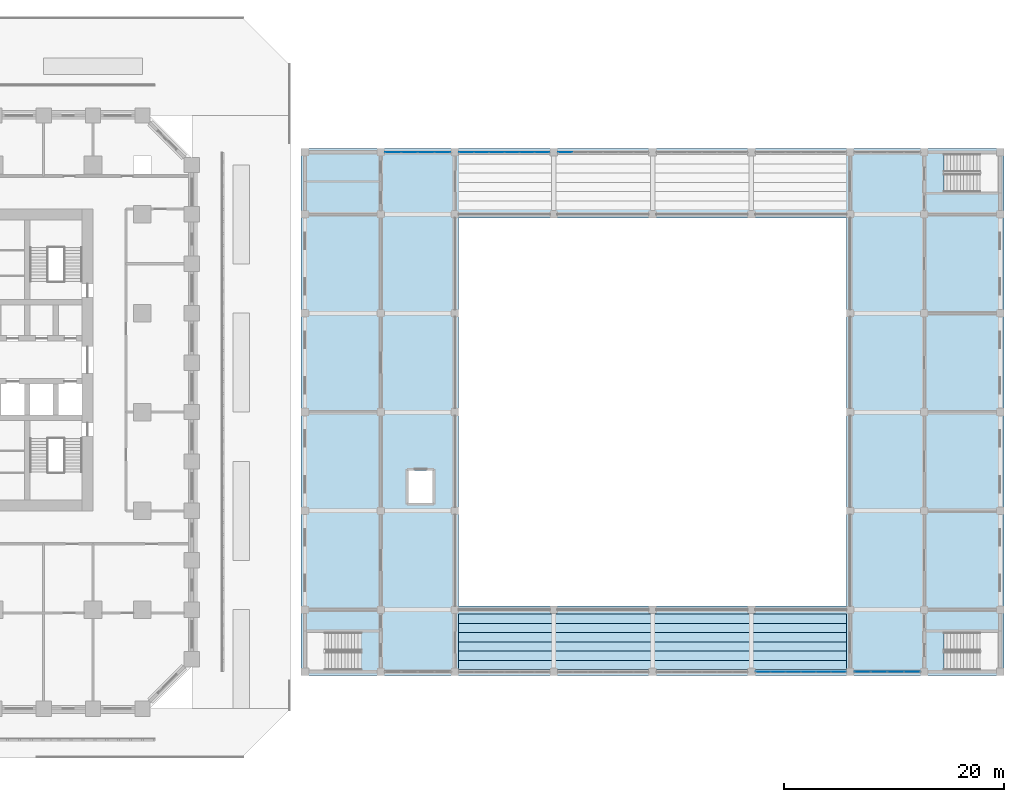
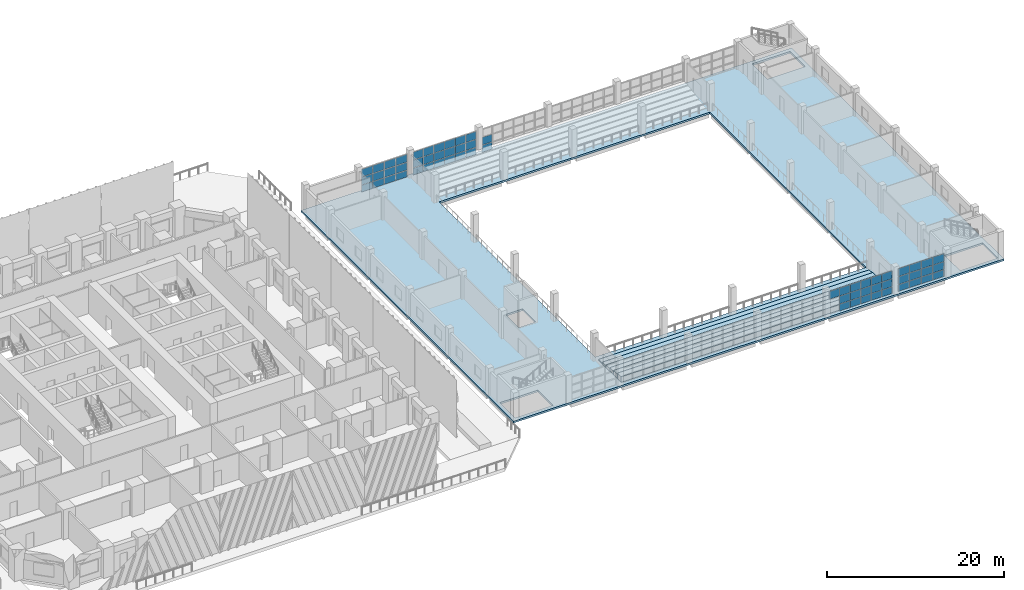
# One storey, part 14 of 36: 60 plates, 7 slabs, 5 elements without a shape of their own.
"""IFC4 building model written with IfcOpenShell, lengths in metres."""

from ifc_helpers import new_model, si_unit, direction, frame, origin, origin_2d, place, context, subcontext, project, spatial, polyline, rectangle, outline, extrude, material, layer, layer_set, type_object, element, aggregate, save


model = new_model("IFC4")

# Units and contexts
model_context = context("Model", 3, precision=1e-05, world=origin(), true_north=direction((0.0, 1.0)))
body_context = subcontext(model_context, "Body", "Model", "MODEL_VIEW")
ifc_project = project(units=[si_unit("LENGTHUNIT", "METRE"), si_unit("AREAUNIT", "SQUARE_METRE"), si_unit("VOLUMEUNIT", "CUBIC_METRE"), si_unit("PLANEANGLEUNIT", "RADIAN"), si_unit("MASSUNIT", "GRAM", prefix="KILO")], contexts=[model_context])

# Site, building, storey
site_placement = place(None, origin())
site = spatial("IfcSite", under=ifc_project, at=site_placement, CompositionType="ELEMENT")
building_placement = place(site_placement, origin())
building = spatial("IfcBuilding", under=site, at=building_placement, Name="Corbel Stack Research Tower", CompositionType="ELEMENT")
storey_placement = place(building_placement, frame((0.0, 0.0, 7.199951171875)))
storey = spatial("IfcBuildingStorey", under=building, at=storey_placement, Name="L01", CompositionType="ELEMENT", Elevation=7.199951171875)

# Curtain wall, plates
ifc_material_1 = material(Name="Aluminium", Category="aluminium")
ifc_layer_1 = layer(ifc_material_1, 0.14990234375)
ifc_layer_set_1 = layer_set([ifc_layer_1], Name="Aluminium")
curtain_wall_type_1 = type_object("IfcCurtainWallType", Name="CW5 main facade curtain wall", PredefinedType="NOTDEFINED", material=ifc_layer_set_1)
curtain_wall_1_placement = place(storey_placement, origin())
curtain_wall_1 = element("IfcCurtainWall", 1, at=curtain_wall_1_placement, inside=storey, type_object=curtain_wall_type_1, Name="Main facade curtain wall L01 2", PredefinedType="NOTDEFINED")
ifc_material_2 = material(Name="Glass", Category="glass")
ifc_layer_2 = layer(ifc_material_2, 0.028076171875)
ifc_layer_set_2 = layer_set([ifc_layer_2], Name="Glass")
plate_type_1 = type_object("IfcPlateType", Name="CW5 glass panel 28", PredefinedType="CURTAIN_PANEL", material=ifc_layer_set_2)
plate_1_placement = place(storey_placement, frame((45.3212890625, 23.64990234375, 0.06005859375), z_axis=(0.0, 0.0, 1.0), x_axis=(1.0, 0.0, 0.0)))
plate_1 = element("IfcPlate", 2, at=plate_1_placement, type_object=plate_type_1, Name="CW5 panel 1.1", PredefinedType="CURTAIN_PANEL", context=body_context, shape_type="SweptSolid", body=[
    extrude(rectangle(XDim=1.422607421875, YDim=0.028076171875, at=origin_2d()), origin(), (0.0, 0.0, 1.0), 0.909912109375),
])
plate_2_placement = place(storey_placement, frame((45.3212890625, 23.64990234375, 1.030029296875), z_axis=(0.0, 0.0, 1.0), x_axis=(1.0, 0.0, 0.0)))
plate_2 = element("IfcPlate", 3, at=plate_2_placement, type_object=plate_type_1, Name="CW5 panel 1.2", PredefinedType="CURTAIN_PANEL", context=body_context, shape_type="SweptSolid", body=[
    extrude(rectangle(XDim=1.422607421875, YDim=0.028076171875, at=origin_2d()), origin(), (0.0, 0.0, 1.0), 1.0400390625),
])
plate_3_placement = place(storey_placement, frame((45.3212890625, 23.64990234375, 2.130126953125), z_axis=(0.0, 0.0, 1.0), x_axis=(1.0, 0.0, 0.0)))
plate_3 = element("IfcPlate", 4, at=plate_3_placement, type_object=plate_type_1, Name="CW5 panel 1.3", PredefinedType="CURTAIN_PANEL", context=body_context, shape_type="SweptSolid", body=[
    extrude(rectangle(XDim=1.422607421875, YDim=0.028076171875, at=origin_2d()), origin(), (0.0, 0.0, 1.0), 1.06005859375),
])
plate_4_placement = place(storey_placement, frame((46.81884765625, 23.64990234375, 0.06005859375), z_axis=(0.0, 0.0, 1.0), x_axis=(1.0, 0.0, 0.0)))
plate_4 = element("IfcPlate", 5, at=plate_4_placement, type_object=plate_type_1, Name="CW5 panel 2.1", PredefinedType="CURTAIN_PANEL", context=body_context, shape_type="SweptSolid", body=[
    extrude(rectangle(XDim=1.452392578125, YDim=0.028076171875, at=origin_2d()), origin(), (0.0, 0.0, 1.0), 0.909912109375),
])
plate_5_placement = place(storey_placement, frame((46.81884765625, 23.64990234375, 1.030029296875), z_axis=(0.0, 0.0, 1.0), x_axis=(1.0, 0.0, 0.0)))
plate_5 = element("IfcPlate", 6, at=plate_5_placement, type_object=plate_type_1, Name="CW5 panel 2.2", PredefinedType="CURTAIN_PANEL", context=body_context, shape_type="SweptSolid", body=[
    extrude(rectangle(XDim=1.452392578125, YDim=0.028076171875, at=origin_2d()), origin(), (0.0, 0.0, 1.0), 1.0400390625),
])
plate_6_placement = place(storey_placement, frame((46.81884765625, 23.64990234375, 2.130126953125), z_axis=(0.0, 0.0, 1.0), x_axis=(1.0, 0.0, 0.0)))
plate_6 = element("IfcPlate", 7, at=plate_6_placement, type_object=plate_type_1, Name="CW5 panel 2.3", PredefinedType="CURTAIN_PANEL", context=body_context, shape_type="SweptSolid", body=[
    extrude(rectangle(XDim=1.452392578125, YDim=0.028076171875, at=origin_2d()), origin(), (0.0, 0.0, 1.0), 1.06005859375),
])
plate_7_placement = place(storey_placement, frame((48.331298828125, 23.64990234375, 0.06005859375), z_axis=(0.0, 0.0, 1.0), x_axis=(1.0, 0.0, 0.0)))
plate_7 = element("IfcPlate", 8, at=plate_7_placement, type_object=plate_type_1, Name="CW5 panel 3.1", PredefinedType="CURTAIN_PANEL", context=body_context, shape_type="SweptSolid", body=[
    extrude(rectangle(XDim=1.452392578125, YDim=0.028076171875, at=origin_2d()), origin(), (0.0, 0.0, 1.0), 0.909912109375),
])
plate_8_placement = place(storey_placement, frame((48.331298828125, 23.64990234375, 1.030029296875), z_axis=(0.0, 0.0, 1.0), x_axis=(1.0, 0.0, 0.0)))
plate_8 = element("IfcPlate", 9, at=plate_8_placement, type_object=plate_type_1, Name="CW5 panel 3.2", PredefinedType="CURTAIN_PANEL", context=body_context, shape_type="SweptSolid", body=[
    extrude(rectangle(XDim=1.452392578125, YDim=0.028076171875, at=origin_2d()), origin(), (0.0, 0.0, 1.0), 1.0400390625),
])
plate_9_placement = place(storey_placement, frame((48.331298828125, 23.64990234375, 2.130126953125), z_axis=(0.0, 0.0, 1.0), x_axis=(1.0, 0.0, 0.0)))
plate_9 = element("IfcPlate", 10, at=plate_9_placement, type_object=plate_type_1, Name="CW5 panel 3.3", PredefinedType="CURTAIN_PANEL", context=body_context, shape_type="SweptSolid", body=[
    extrude(rectangle(XDim=1.452392578125, YDim=0.028076171875, at=origin_2d()), origin(), (0.0, 0.0, 1.0), 1.06005859375),
])
plate_10_placement = place(storey_placement, frame((49.828857421875, 23.64990234375, 0.06005859375), z_axis=(0.0, 0.0, 1.0), x_axis=(1.0, 0.0, 0.0)))
plate_10 = element("IfcPlate", 11, at=plate_10_placement, type_object=plate_type_1, Name="CW5 panel 4.1", PredefinedType="CURTAIN_PANEL", context=body_context, shape_type="SweptSolid", body=[
    extrude(rectangle(XDim=1.422607421875, YDim=0.028076171875, at=origin_2d()), origin(), (0.0, 0.0, 1.0), 0.909912109375),
])
plate_11_placement = place(storey_placement, frame((49.828857421875, 23.64990234375, 1.030029296875), z_axis=(0.0, 0.0, 1.0), x_axis=(1.0, 0.0, 0.0)))
plate_11 = element("IfcPlate", 12, at=plate_11_placement, type_object=plate_type_1, Name="CW5 panel 4.2", PredefinedType="CURTAIN_PANEL", context=body_context, shape_type="SweptSolid", body=[
    extrude(rectangle(XDim=1.422607421875, YDim=0.028076171875, at=origin_2d()), origin(), (0.0, 0.0, 1.0), 1.0400390625),
])
plate_12_placement = place(storey_placement, frame((49.828857421875, 23.64990234375, 2.130126953125), z_axis=(0.0, 0.0, 1.0), x_axis=(1.0, 0.0, 0.0)))
plate_12 = element("IfcPlate", 13, at=plate_12_placement, type_object=plate_type_1, Name="CW5 panel 4.3", PredefinedType="CURTAIN_PANEL", context=body_context, shape_type="SweptSolid", body=[
    extrude(rectangle(XDim=1.422607421875, YDim=0.028076171875, at=origin_2d()), origin(), (0.0, 0.0, 1.0), 1.06005859375),
])
aggregate(curtain_wall_1, [plate_1, plate_2, plate_3, plate_4, plate_5, plate_6, plate_7, plate_8, plate_9, plate_10, plate_11, plate_12])

curtain_wall_2_placement = place(storey_placement, origin())
curtain_wall_2 = element("IfcCurtainWall", 14, at=curtain_wall_2_placement, inside=storey, type_object=curtain_wall_type_1, Name="Main facade curtain wall L01 3", PredefinedType="NOTDEFINED")
plate_13_placement = place(storey_placement, frame((88.0712890625, -23.64990234375, 0.06005859375), z_axis=(0.0, 0.0, 1.0), x_axis=(1.0, 0.0, 0.0)))
plate_13 = element("IfcPlate", 15, at=plate_13_placement, type_object=plate_type_1, Name="CW5 panel 1.1", PredefinedType="CURTAIN_PANEL", context=body_context, shape_type="SweptSolid", body=[
    extrude(rectangle(XDim=1.422607421875, YDim=0.028076171875, at=origin_2d()), origin(), (0.0, 0.0, 1.0), 0.909912109375),
])
plate_14_placement = place(storey_placement, frame((88.0712890625, -23.64990234375, 1.030029296875), z_axis=(0.0, 0.0, 1.0), x_axis=(1.0, 0.0, 0.0)))
plate_14 = element("IfcPlate", 16, at=plate_14_placement, type_object=plate_type_1, Name="CW5 panel 1.2", PredefinedType="CURTAIN_PANEL", context=body_context, shape_type="SweptSolid", body=[
    extrude(rectangle(XDim=1.422607421875, YDim=0.028076171875, at=origin_2d()), origin(), (0.0, 0.0, 1.0), 1.0400390625),
])
plate_15_placement = place(storey_placement, frame((88.0712890625, -23.64990234375, 2.130126953125), z_axis=(0.0, 0.0, 1.0), x_axis=(1.0, 0.0, 0.0)))
plate_15 = element("IfcPlate", 17, at=plate_15_placement, type_object=plate_type_1, Name="CW5 panel 1.3", PredefinedType="CURTAIN_PANEL", context=body_context, shape_type="SweptSolid", body=[
    extrude(rectangle(XDim=1.422607421875, YDim=0.028076171875, at=origin_2d()), origin(), (0.0, 0.0, 1.0), 1.06005859375),
])
plate_16_placement = place(storey_placement, frame((89.56884765625, -23.64990234375, 0.06005859375), z_axis=(0.0, 0.0, 1.0), x_axis=(1.0, 0.0, 0.0)))
plate_16 = element("IfcPlate", 18, at=plate_16_placement, type_object=plate_type_1, Name="CW5 panel 2.1", PredefinedType="CURTAIN_PANEL", context=body_context, shape_type="SweptSolid", body=[
    extrude(rectangle(XDim=1.452392578125, YDim=0.028076171875, at=origin_2d()), origin(), (0.0, 0.0, 1.0), 0.909912109375),
])
plate_17_placement = place(storey_placement, frame((89.56884765625, -23.64990234375, 1.030029296875), z_axis=(0.0, 0.0, 1.0), x_axis=(1.0, 0.0, 0.0)))
plate_17 = element("IfcPlate", 19, at=plate_17_placement, type_object=plate_type_1, Name="CW5 panel 2.2", PredefinedType="CURTAIN_PANEL", context=body_context, shape_type="SweptSolid", body=[
    extrude(rectangle(XDim=1.452392578125, YDim=0.028076171875, at=origin_2d()), origin(), (0.0, 0.0, 1.0), 1.0400390625),
])
plate_18_placement = place(storey_placement, frame((89.56884765625, -23.64990234375, 2.130126953125), z_axis=(0.0, 0.0, 1.0), x_axis=(1.0, 0.0, 0.0)))
plate_18 = element("IfcPlate", 20, at=plate_18_placement, type_object=plate_type_1, Name="CW5 panel 2.3", PredefinedType="CURTAIN_PANEL", context=body_context, shape_type="SweptSolid", body=[
    extrude(rectangle(XDim=1.452392578125, YDim=0.028076171875, at=origin_2d()), origin(), (0.0, 0.0, 1.0), 1.06005859375),
])
plate_19_placement = place(storey_placement, frame((91.081298828125, -23.64990234375, 0.06005859375), z_axis=(0.0, 0.0, 1.0), x_axis=(1.0, 0.0, 0.0)))
plate_19 = element("IfcPlate", 21, at=plate_19_placement, type_object=plate_type_1, Name="CW5 panel 3.1", PredefinedType="CURTAIN_PANEL", context=body_context, shape_type="SweptSolid", body=[
    extrude(rectangle(XDim=1.452392578125, YDim=0.028076171875, at=origin_2d()), origin(), (0.0, 0.0, 1.0), 0.909912109375),
])
plate_20_placement = place(storey_placement, frame((91.081298828125, -23.64990234375, 1.030029296875), z_axis=(0.0, 0.0, 1.0), x_axis=(1.0, 0.0, 0.0)))
plate_20 = element("IfcPlate", 22, at=plate_20_placement, type_object=plate_type_1, Name="CW5 panel 3.2", PredefinedType="CURTAIN_PANEL", context=body_context, shape_type="SweptSolid", body=[
    extrude(rectangle(XDim=1.452392578125, YDim=0.028076171875, at=origin_2d()), origin(), (0.0, 0.0, 1.0), 1.0400390625),
])
plate_21_placement = place(storey_placement, frame((91.081298828125, -23.64990234375, 2.130126953125), z_axis=(0.0, 0.0, 1.0), x_axis=(1.0, 0.0, 0.0)))
plate_21 = element("IfcPlate", 23, at=plate_21_placement, type_object=plate_type_1, Name="CW5 panel 3.3", PredefinedType="CURTAIN_PANEL", context=body_context, shape_type="SweptSolid", body=[
    extrude(rectangle(XDim=1.452392578125, YDim=0.028076171875, at=origin_2d()), origin(), (0.0, 0.0, 1.0), 1.06005859375),
])
plate_22_placement = place(storey_placement, frame((92.578857421875, -23.64990234375, 0.06005859375), z_axis=(0.0, 0.0, 1.0), x_axis=(1.0, 0.0, 0.0)))
plate_22 = element("IfcPlate", 24, at=plate_22_placement, type_object=plate_type_1, Name="CW5 panel 4.1", PredefinedType="CURTAIN_PANEL", context=body_context, shape_type="SweptSolid", body=[
    extrude(rectangle(XDim=1.422607421875, YDim=0.028076171875, at=origin_2d()), origin(), (0.0, 0.0, 1.0), 0.909912109375),
])
plate_23_placement = place(storey_placement, frame((92.578857421875, -23.64990234375, 1.030029296875), z_axis=(0.0, 0.0, 1.0), x_axis=(1.0, 0.0, 0.0)))
plate_23 = element("IfcPlate", 25, at=plate_23_placement, type_object=plate_type_1, Name="CW5 panel 4.2", PredefinedType="CURTAIN_PANEL", context=body_context, shape_type="SweptSolid", body=[
    extrude(rectangle(XDim=1.422607421875, YDim=0.028076171875, at=origin_2d()), origin(), (0.0, 0.0, 1.0), 1.0400390625),
])
plate_24_placement = place(storey_placement, frame((92.578857421875, -23.64990234375, 2.130126953125), z_axis=(0.0, 0.0, 1.0), x_axis=(1.0, 0.0, 0.0)))
plate_24 = element("IfcPlate", 26, at=plate_24_placement, type_object=plate_type_1, Name="CW5 panel 4.3", PredefinedType="CURTAIN_PANEL", context=body_context, shape_type="SweptSolid", body=[
    extrude(rectangle(XDim=1.422607421875, YDim=0.028076171875, at=origin_2d()), origin(), (0.0, 0.0, 1.0), 1.06005859375),
])
aggregate(curtain_wall_2, [plate_13, plate_14, plate_15, plate_16, plate_17, plate_18, plate_19, plate_20, plate_21, plate_22, plate_23, plate_24])

ifc_material_3 = material(Name="Aluminium", Category="aluminium")
ifc_layer_3 = layer(ifc_material_3, 0.139892578125)
ifc_layer_set_3 = layer_set([ifc_layer_3], Name="Aluminium")
curtain_wall_type_2 = type_object("IfcCurtainWallType", Name="CW6 gallery curtain wall", PredefinedType="NOTDEFINED", material=ifc_layer_set_3)
curtain_wall_3_placement = place(storey_placement, origin())
curtain_wall_3 = element("IfcCurtainWall", 27, at=curtain_wall_3_placement, inside=storey, type_object=curtain_wall_type_2, Name="Gallery curtain wall L01 8", PredefinedType="NOTDEFINED")
ifc_material_4 = material(Name="Glass", Category="glass")
ifc_layer_4 = layer(ifc_material_4, 0.02392578125)
ifc_layer_set_4 = layer_set([ifc_layer_4], Name="Glass")
plate_type_2 = type_object("IfcPlateType", Name="CW6 glass panel 24", PredefinedType="CURTAIN_PANEL", material=ifc_layer_set_4)
plate_25_placement = place(storey_placement, frame((79.004150390625, -23.64990234375, 2.125), z_axis=(0.0, 0.0, 1.0), x_axis=(1.0, 0.0, 0.0)))
plate_25 = element("IfcPlate", 28, at=plate_25_placement, type_object=plate_type_2, Name="CW6 panel 1.3", PredefinedType="CURTAIN_PANEL", context=body_context, shape_type="SweptSolid", body=[
    extrude(rectangle(XDim=1.308349609375, YDim=0.02392578125, at=origin_2d()), origin(), (0.0, 0.0, 1.0), 1.074951171875),
])
plate_26_placement = place(storey_placement, frame((80.375, -23.64990234375, 0.0498046875), z_axis=(0.0, 0.0, 1.0), x_axis=(1.0, 0.0, 0.0)))
plate_26 = element("IfcPlate", 29, at=plate_26_placement, type_object=plate_type_2, Name="CW6 panel 2.1", PredefinedType="CURTAIN_PANEL", context=body_context, shape_type="SweptSolid", body=[
    extrude(rectangle(XDim=1.333251953125, YDim=0.02392578125, at=origin_2d()), origin(), (0.0, 0.0, 1.0), 0.925048828125),
])
plate_27_placement = place(storey_placement, frame((80.375, -23.64990234375, 1.02490234375), z_axis=(0.0, 0.0, 1.0), x_axis=(1.0, 0.0, 0.0)))
plate_27 = element("IfcPlate", 30, at=plate_27_placement, type_object=plate_type_2, Name="CW6 panel 2.2", PredefinedType="CURTAIN_PANEL", context=body_context, shape_type="SweptSolid", body=[
    extrude(rectangle(XDim=1.333251953125, YDim=0.02392578125, at=origin_2d()), origin(), (0.0, 0.0, 1.0), 1.050048828125),
])
plate_28_placement = place(storey_placement, frame((80.375, -23.64990234375, 2.125), z_axis=(0.0, 0.0, 1.0), x_axis=(1.0, 0.0, 0.0)))
plate_28 = element("IfcPlate", 31, at=plate_28_placement, type_object=plate_type_2, Name="CW6 panel 2.3", PredefinedType="CURTAIN_PANEL", context=body_context, shape_type="SweptSolid", body=[
    extrude(rectangle(XDim=1.333251953125, YDim=0.02392578125, at=origin_2d()), origin(), (0.0, 0.0, 1.0), 1.074951171875),
])
plate_29_placement = place(storey_placement, frame((81.75830078125, -23.64990234375, 0.0498046875), z_axis=(0.0, 0.0, 1.0), x_axis=(1.0, 0.0, 0.0)))
plate_29 = element("IfcPlate", 32, at=plate_29_placement, type_object=plate_type_2, Name="CW6 panel 3.1", PredefinedType="CURTAIN_PANEL", context=body_context, shape_type="SweptSolid", body=[
    extrude(rectangle(XDim=1.333251953125, YDim=0.02392578125, at=origin_2d()), origin(), (0.0, 0.0, 1.0), 0.925048828125),
])
plate_30_placement = place(storey_placement, frame((81.75830078125, -23.64990234375, 1.02490234375), z_axis=(0.0, 0.0, 1.0), x_axis=(1.0, 0.0, 0.0)))
plate_30 = element("IfcPlate", 33, at=plate_30_placement, type_object=plate_type_2, Name="CW6 panel 3.2", PredefinedType="CURTAIN_PANEL", context=body_context, shape_type="SweptSolid", body=[
    extrude(rectangle(XDim=1.333251953125, YDim=0.02392578125, at=origin_2d()), origin(), (0.0, 0.0, 1.0), 1.050048828125),
])
plate_31_placement = place(storey_placement, frame((81.75830078125, -23.64990234375, 2.125), z_axis=(0.0, 0.0, 1.0), x_axis=(1.0, 0.0, 0.0)))
plate_31 = element("IfcPlate", 34, at=plate_31_placement, type_object=plate_type_2, Name="CW6 panel 3.3", PredefinedType="CURTAIN_PANEL", context=body_context, shape_type="SweptSolid", body=[
    extrude(rectangle(XDim=1.333251953125, YDim=0.02392578125, at=origin_2d()), origin(), (0.0, 0.0, 1.0), 1.074951171875),
])
plate_32_placement = place(storey_placement, frame((83.1416015625, -23.64990234375, 0.0498046875), z_axis=(0.0, 0.0, 1.0), x_axis=(1.0, 0.0, 0.0)))
plate_32 = element("IfcPlate", 35, at=plate_32_placement, type_object=plate_type_2, Name="CW6 panel 4.1", PredefinedType="CURTAIN_PANEL", context=body_context, shape_type="SweptSolid", body=[
    extrude(rectangle(XDim=1.333251953125, YDim=0.02392578125, at=origin_2d()), origin(), (0.0, 0.0, 1.0), 0.925048828125),
])
plate_33_placement = place(storey_placement, frame((83.1416015625, -23.64990234375, 1.02490234375), z_axis=(0.0, 0.0, 1.0), x_axis=(1.0, 0.0, 0.0)))
plate_33 = element("IfcPlate", 36, at=plate_33_placement, type_object=plate_type_2, Name="CW6 panel 4.2", PredefinedType="CURTAIN_PANEL", context=body_context, shape_type="SweptSolid", body=[
    extrude(rectangle(XDim=1.333251953125, YDim=0.02392578125, at=origin_2d()), origin(), (0.0, 0.0, 1.0), 1.050048828125),
])
plate_34_placement = place(storey_placement, frame((83.1416015625, -23.64990234375, 2.125), z_axis=(0.0, 0.0, 1.0), x_axis=(1.0, 0.0, 0.0)))
plate_34 = element("IfcPlate", 37, at=plate_34_placement, type_object=plate_type_2, Name="CW6 panel 4.3", PredefinedType="CURTAIN_PANEL", context=body_context, shape_type="SweptSolid", body=[
    extrude(rectangle(XDim=1.333251953125, YDim=0.02392578125, at=origin_2d()), origin(), (0.0, 0.0, 1.0), 1.074951171875),
])
plate_35_placement = place(storey_placement, frame((84.52490234375, -23.64990234375, 0.0498046875), z_axis=(0.0, 0.0, 1.0), x_axis=(1.0, 0.0, 0.0)))
plate_35 = element("IfcPlate", 38, at=plate_35_placement, type_object=plate_type_2, Name="CW6 panel 5.1", PredefinedType="CURTAIN_PANEL", context=body_context, shape_type="SweptSolid", body=[
    extrude(rectangle(XDim=1.333251953125, YDim=0.02392578125, at=origin_2d()), origin(), (0.0, 0.0, 1.0), 0.925048828125),
])
plate_36_placement = place(storey_placement, frame((84.52490234375, -23.64990234375, 1.02490234375), z_axis=(0.0, 0.0, 1.0), x_axis=(1.0, 0.0, 0.0)))
plate_36 = element("IfcPlate", 39, at=plate_36_placement, type_object=plate_type_2, Name="CW6 panel 5.2", PredefinedType="CURTAIN_PANEL", context=body_context, shape_type="SweptSolid", body=[
    extrude(rectangle(XDim=1.333251953125, YDim=0.02392578125, at=origin_2d()), origin(), (0.0, 0.0, 1.0), 1.050048828125),
])
plate_37_placement = place(storey_placement, frame((84.52490234375, -23.64990234375, 2.125), z_axis=(0.0, 0.0, 1.0), x_axis=(1.0, 0.0, 0.0)))
plate_37 = element("IfcPlate", 40, at=plate_37_placement, type_object=plate_type_2, Name="CW6 panel 5.3", PredefinedType="CURTAIN_PANEL", context=body_context, shape_type="SweptSolid", body=[
    extrude(rectangle(XDim=1.333251953125, YDim=0.02392578125, at=origin_2d()), origin(), (0.0, 0.0, 1.0), 1.074951171875),
])
plate_38_placement = place(storey_placement, frame((85.895751953125, -23.64990234375, 0.0498046875), z_axis=(0.0, 0.0, 1.0), x_axis=(1.0, 0.0, 0.0)))
plate_38 = element("IfcPlate", 41, at=plate_38_placement, type_object=plate_type_2, Name="CW6 panel 6.1", PredefinedType="CURTAIN_PANEL", context=body_context, shape_type="SweptSolid", body=[
    extrude(rectangle(XDim=1.308349609375, YDim=0.02392578125, at=origin_2d()), origin(), (0.0, 0.0, 1.0), 0.925048828125),
])
plate_39_placement = place(storey_placement, frame((85.895751953125, -23.64990234375, 1.02490234375), z_axis=(0.0, 0.0, 1.0), x_axis=(1.0, 0.0, 0.0)))
plate_39 = element("IfcPlate", 42, at=plate_39_placement, type_object=plate_type_2, Name="CW6 panel 6.2", PredefinedType="CURTAIN_PANEL", context=body_context, shape_type="SweptSolid", body=[
    extrude(rectangle(XDim=1.308349609375, YDim=0.02392578125, at=origin_2d()), origin(), (0.0, 0.0, 1.0), 1.050048828125),
])
plate_40_placement = place(storey_placement, frame((85.895751953125, -23.64990234375, 2.125), z_axis=(0.0, 0.0, 1.0), x_axis=(1.0, 0.0, 0.0)))
plate_40 = element("IfcPlate", 43, at=plate_40_placement, type_object=plate_type_2, Name="CW6 panel 6.3", PredefinedType="CURTAIN_PANEL", context=body_context, shape_type="SweptSolid", body=[
    extrude(rectangle(XDim=1.308349609375, YDim=0.02392578125, at=origin_2d()), origin(), (0.0, 0.0, 1.0), 1.074951171875),
])
aggregate(curtain_wall_3, [plate_25, plate_26, plate_27, plate_28, plate_29, plate_30, plate_31, plate_32, plate_33, plate_34, plate_35, plate_36, plate_37, plate_38, plate_39, plate_40])

curtain_wall_4_placement = place(storey_placement, origin())
curtain_wall_4 = element("IfcCurtainWall", 44, at=curtain_wall_4_placement, inside=storey, type_object=curtain_wall_type_2, Name="Gallery curtain wall L01 9", PredefinedType="NOTDEFINED")
plate_41_placement = place(storey_placement, frame((52.004150390625, 23.64990234375, 0.0498046875), z_axis=(0.0, 0.0, 1.0), x_axis=(1.0, 0.0, 0.0)))
plate_41 = element("IfcPlate", 45, at=plate_41_placement, type_object=plate_type_2, Name="CW6 panel 1.1", PredefinedType="CURTAIN_PANEL", context=body_context, shape_type="SweptSolid", body=[
    extrude(rectangle(XDim=1.308349609375, YDim=0.02392578125, at=origin_2d()), origin(), (0.0, 0.0, 1.0), 0.925048828125),
])
plate_42_placement = place(storey_placement, frame((52.004150390625, 23.64990234375, 1.02490234375), z_axis=(0.0, 0.0, 1.0), x_axis=(1.0, 0.0, 0.0)))
plate_42 = element("IfcPlate", 46, at=plate_42_placement, type_object=plate_type_2, Name="CW6 panel 1.2", PredefinedType="CURTAIN_PANEL", context=body_context, shape_type="SweptSolid", body=[
    extrude(rectangle(XDim=1.308349609375, YDim=0.02392578125, at=origin_2d()), origin(), (0.0, 0.0, 1.0), 1.050048828125),
])
plate_43_placement = place(storey_placement, frame((52.004150390625, 23.64990234375, 2.125), z_axis=(0.0, 0.0, 1.0), x_axis=(1.0, 0.0, 0.0)))
plate_43 = element("IfcPlate", 47, at=plate_43_placement, type_object=plate_type_2, Name="CW6 panel 1.3", PredefinedType="CURTAIN_PANEL", context=body_context, shape_type="SweptSolid", body=[
    extrude(rectangle(XDim=1.308349609375, YDim=0.02392578125, at=origin_2d()), origin(), (0.0, 0.0, 1.0), 1.074951171875),
])
plate_44_placement = place(storey_placement, frame((53.375, 23.64990234375, 0.0498046875), z_axis=(0.0, 0.0, 1.0), x_axis=(1.0, 0.0, 0.0)))
plate_44 = element("IfcPlate", 48, at=plate_44_placement, type_object=plate_type_2, Name="CW6 panel 2.1", PredefinedType="CURTAIN_PANEL", context=body_context, shape_type="SweptSolid", body=[
    extrude(rectangle(XDim=1.333251953125, YDim=0.02392578125, at=origin_2d()), origin(), (0.0, 0.0, 1.0), 0.925048828125),
])
plate_45_placement = place(storey_placement, frame((53.375, 23.64990234375, 1.02490234375), z_axis=(0.0, 0.0, 1.0), x_axis=(1.0, 0.0, 0.0)))
plate_45 = element("IfcPlate", 49, at=plate_45_placement, type_object=plate_type_2, Name="CW6 panel 2.2", PredefinedType="CURTAIN_PANEL", context=body_context, shape_type="SweptSolid", body=[
    extrude(rectangle(XDim=1.333251953125, YDim=0.02392578125, at=origin_2d()), origin(), (0.0, 0.0, 1.0), 1.050048828125),
])
plate_46_placement = place(storey_placement, frame((53.375, 23.64990234375, 2.125), z_axis=(0.0, 0.0, 1.0), x_axis=(1.0, 0.0, 0.0)))
plate_46 = element("IfcPlate", 50, at=plate_46_placement, type_object=plate_type_2, Name="CW6 panel 2.3", PredefinedType="CURTAIN_PANEL", context=body_context, shape_type="SweptSolid", body=[
    extrude(rectangle(XDim=1.333251953125, YDim=0.02392578125, at=origin_2d()), origin(), (0.0, 0.0, 1.0), 1.074951171875),
])
plate_47_placement = place(storey_placement, frame((54.75830078125, 23.64990234375, 0.0498046875), z_axis=(0.0, 0.0, 1.0), x_axis=(1.0, 0.0, 0.0)))
plate_47 = element("IfcPlate", 51, at=plate_47_placement, type_object=plate_type_2, Name="CW6 panel 3.1", PredefinedType="CURTAIN_PANEL", context=body_context, shape_type="SweptSolid", body=[
    extrude(rectangle(XDim=1.333251953125, YDim=0.02392578125, at=origin_2d()), origin(), (0.0, 0.0, 1.0), 0.925048828125),
])
plate_48_placement = place(storey_placement, frame((54.75830078125, 23.64990234375, 1.02490234375), z_axis=(0.0, 0.0, 1.0), x_axis=(1.0, 0.0, 0.0)))
plate_48 = element("IfcPlate", 52, at=plate_48_placement, type_object=plate_type_2, Name="CW6 panel 3.2", PredefinedType="CURTAIN_PANEL", context=body_context, shape_type="SweptSolid", body=[
    extrude(rectangle(XDim=1.333251953125, YDim=0.02392578125, at=origin_2d()), origin(), (0.0, 0.0, 1.0), 1.050048828125),
])
plate_49_placement = place(storey_placement, frame((54.75830078125, 23.64990234375, 2.125), z_axis=(0.0, 0.0, 1.0), x_axis=(1.0, 0.0, 0.0)))
plate_49 = element("IfcPlate", 53, at=plate_49_placement, type_object=plate_type_2, Name="CW6 panel 3.3", PredefinedType="CURTAIN_PANEL", context=body_context, shape_type="SweptSolid", body=[
    extrude(rectangle(XDim=1.333251953125, YDim=0.02392578125, at=origin_2d()), origin(), (0.0, 0.0, 1.0), 1.074951171875),
])
plate_50_placement = place(storey_placement, frame((56.1416015625, 23.64990234375, 0.0498046875), z_axis=(0.0, 0.0, 1.0), x_axis=(1.0, 0.0, 0.0)))
plate_50 = element("IfcPlate", 54, at=plate_50_placement, type_object=plate_type_2, Name="CW6 panel 4.1", PredefinedType="CURTAIN_PANEL", context=body_context, shape_type="SweptSolid", body=[
    extrude(rectangle(XDim=1.333251953125, YDim=0.02392578125, at=origin_2d()), origin(), (0.0, 0.0, 1.0), 0.925048828125),
])
plate_51_placement = place(storey_placement, frame((56.1416015625, 23.64990234375, 1.02490234375), z_axis=(0.0, 0.0, 1.0), x_axis=(1.0, 0.0, 0.0)))
plate_51 = element("IfcPlate", 55, at=plate_51_placement, type_object=plate_type_2, Name="CW6 panel 4.2", PredefinedType="CURTAIN_PANEL", context=body_context, shape_type="SweptSolid", body=[
    extrude(rectangle(XDim=1.333251953125, YDim=0.02392578125, at=origin_2d()), origin(), (0.0, 0.0, 1.0), 1.050048828125),
])
plate_52_placement = place(storey_placement, frame((56.1416015625, 23.64990234375, 2.125), z_axis=(0.0, 0.0, 1.0), x_axis=(1.0, 0.0, 0.0)))
plate_52 = element("IfcPlate", 56, at=plate_52_placement, type_object=plate_type_2, Name="CW6 panel 4.3", PredefinedType="CURTAIN_PANEL", context=body_context, shape_type="SweptSolid", body=[
    extrude(rectangle(XDim=1.333251953125, YDim=0.02392578125, at=origin_2d()), origin(), (0.0, 0.0, 1.0), 1.074951171875),
])
plate_53_placement = place(storey_placement, frame((57.52490234375, 23.64990234375, 0.0498046875), z_axis=(0.0, 0.0, 1.0), x_axis=(1.0, 0.0, 0.0)))
plate_53 = element("IfcPlate", 57, at=plate_53_placement, type_object=plate_type_2, Name="CW6 panel 5.1", PredefinedType="CURTAIN_PANEL", context=body_context, shape_type="SweptSolid", body=[
    extrude(rectangle(XDim=1.333251953125, YDim=0.02392578125, at=origin_2d()), origin(), (0.0, 0.0, 1.0), 0.925048828125),
])
plate_54_placement = place(storey_placement, frame((57.52490234375, 23.64990234375, 1.02490234375), z_axis=(0.0, 0.0, 1.0), x_axis=(1.0, 0.0, 0.0)))
plate_54 = element("IfcPlate", 58, at=plate_54_placement, type_object=plate_type_2, Name="CW6 panel 5.2", PredefinedType="CURTAIN_PANEL", context=body_context, shape_type="SweptSolid", body=[
    extrude(rectangle(XDim=1.333251953125, YDim=0.02392578125, at=origin_2d()), origin(), (0.0, 0.0, 1.0), 1.050048828125),
])
plate_55_placement = place(storey_placement, frame((57.52490234375, 23.64990234375, 2.125), z_axis=(0.0, 0.0, 1.0), x_axis=(1.0, 0.0, 0.0)))
plate_55 = element("IfcPlate", 59, at=plate_55_placement, type_object=plate_type_2, Name="CW6 panel 5.3", PredefinedType="CURTAIN_PANEL", context=body_context, shape_type="SweptSolid", body=[
    extrude(rectangle(XDim=1.333251953125, YDim=0.02392578125, at=origin_2d()), origin(), (0.0, 0.0, 1.0), 1.074951171875),
])
plate_56_placement = place(storey_placement, frame((58.895751953125, 23.64990234375, 0.0498046875), z_axis=(0.0, 0.0, 1.0), x_axis=(1.0, 0.0, 0.0)))
plate_56 = element("IfcPlate", 60, at=plate_56_placement, type_object=plate_type_2, Name="CW6 panel 6.1", PredefinedType="CURTAIN_PANEL", context=body_context, shape_type="SweptSolid", body=[
    extrude(rectangle(XDim=1.308349609375, YDim=0.02392578125, at=origin_2d()), origin(), (0.0, 0.0, 1.0), 0.925048828125),
])
plate_57_placement = place(storey_placement, frame((58.895751953125, 23.64990234375, 1.02490234375), z_axis=(0.0, 0.0, 1.0), x_axis=(1.0, 0.0, 0.0)))
plate_57 = element("IfcPlate", 61, at=plate_57_placement, type_object=plate_type_2, Name="CW6 panel 6.2", PredefinedType="CURTAIN_PANEL", context=body_context, shape_type="SweptSolid", body=[
    extrude(rectangle(XDim=1.308349609375, YDim=0.02392578125, at=origin_2d()), origin(), (0.0, 0.0, 1.0), 1.050048828125),
])
plate_58_placement = place(storey_placement, frame((58.895751953125, 23.64990234375, 2.125), z_axis=(0.0, 0.0, 1.0), x_axis=(1.0, 0.0, 0.0)))
plate_58 = element("IfcPlate", 62, at=plate_58_placement, type_object=plate_type_2, Name="CW6 panel 6.3", PredefinedType="CURTAIN_PANEL", context=body_context, shape_type="SweptSolid", body=[
    extrude(rectangle(XDim=1.308349609375, YDim=0.02392578125, at=origin_2d()), origin(), (0.0, 0.0, 1.0), 1.074951171875),
])
aggregate(curtain_wall_4, [plate_41, plate_42, plate_43, plate_44, plate_45, plate_46, plate_47, plate_48, plate_49, plate_50, plate_51, plate_52, plate_53, plate_54, plate_55, plate_56, plate_57, plate_58])

curtain_wall_5_placement = place(storey_placement, origin())
curtain_wall_5 = element("IfcCurtainWall", 63, at=curtain_wall_5_placement, inside=storey, type_object=curtain_wall_type_2, Name="Gallery curtain wall L01 10", PredefinedType="NOTDEFINED")
plate_59_placement = place(storey_placement, frame((61.004150390625, 23.64990234375, 0.0498046875), z_axis=(0.0, 0.0, 1.0), x_axis=(1.0, 0.0, 0.0)))
plate_59 = element("IfcPlate", 64, at=plate_59_placement, type_object=plate_type_2, Name="CW6 panel 1.1", PredefinedType="CURTAIN_PANEL", context=body_context, shape_type="SweptSolid", body=[
    extrude(rectangle(XDim=1.308349609375, YDim=0.02392578125, at=origin_2d()), origin(), (0.0, 0.0, 1.0), 0.925048828125),
])
plate_60_placement = place(storey_placement, frame((61.004150390625, 23.64990234375, 1.02490234375), z_axis=(0.0, 0.0, 1.0), x_axis=(1.0, 0.0, 0.0)))
plate_60 = element("IfcPlate", 65, at=plate_60_placement, type_object=plate_type_2, Name="CW6 panel 1.2", PredefinedType="CURTAIN_PANEL", context=body_context, shape_type="SweptSolid", body=[
    extrude(rectangle(XDim=1.308349609375, YDim=0.02392578125, at=origin_2d()), origin(), (0.0, 0.0, 1.0), 1.050048828125),
])
aggregate(curtain_wall_5, [plate_59, plate_60])

# Slabs
ifc_material_5 = material(Name="Concrete C40/50", Category="concrete")
ifc_layer_5 = layer(ifc_material_5, 0.25)
ifc_layer_set_5 = layer_set([ifc_layer_5], Name="Concrete C40/50")
slab_type_1 = type_object("IfcSlabType", Name="HS1 floor slab 250", PredefinedType="FLOOR", material=ifc_layer_set_5)
slab_1_placement = place(storey_placement, frame((0.0, 0.0, -0.25)))
element("IfcSlab", 66, at=slab_1_placement, inside=storey, type_object=slab_type_1, Name="Hall floor slab L01", PredefinedType="FLOOR", context=body_context, shape_type="SweptSolid", body=[
    extrude(outline(polyline([(36.949951171875, -24.0), (36.949951171875, 24.0), (100.949951171875, 24.0), (100.949951171875, -24.0), (36.949951171875, -24.0)]), holes=[polyline([(95.5048828125, 23.5), (95.5048828125, 20.050048828125), (100.449951171875, 20.050048828125), (100.449951171875, 23.5), (95.5048828125, 23.5)]), polyline([(100.449951171875, -20.050048828125), (95.5048828125, -20.050048828125), (95.5048828125, -23.5), (100.449951171875, -23.5), (100.449951171875, -20.050048828125)]), polyline([(86.60009765625, 17.64990234375), (51.300048828125, 17.64990234375), (51.300048828125, -17.64990234375), (86.60009765625, -17.64990234375), (86.60009765625, 17.64990234375)]), polyline([(48.925048828125, -5.324951171875), (46.72509765625, -5.324951171875), (46.72509765625, -8.27490234375), (48.925048828125, -8.27490234375), (48.925048828125, -5.324951171875)]), polyline([(37.449951171875, -23.5), (42.39501953125, -23.5), (42.39501953125, -20.050048828125), (37.449951171875, -20.050048828125), (37.449951171875, -23.5)])]), origin(), (0.0, 0.0, 1.0), 0.25),
])
ifc_material_6 = material(Name="Concrete C40/50", Category="concrete")
ifc_layer_6 = layer(ifc_material_6, 0.1298828125)
ifc_layer_set_6 = layer_set([ifc_layer_6], Name="Concrete C40/50")
slab_type_2 = type_object("IfcSlabType", Name="HS5 seating tier slab", PredefinedType="FLOOR", material=ifc_layer_set_6)
slab_2_placement = place(storey_placement, origin())
element("IfcSlab", 67, at=slab_2_placement, inside=storey, type_object=slab_type_2, Name="Seating tier south 1", PredefinedType="FLOOR", context=body_context, shape_type="SweptSolid", body=[
    extrude(outline(polyline([(51.300048828125, -19.239990234375), (86.60009765625, -19.239990234375), (86.60009765625, -18.39990234375), (51.300048828125, -18.39990234375), (51.300048828125, -19.239990234375)])), origin(), (0.0, 0.0, 1.0), 0.130126953125),
])
slab_3_placement = place(storey_placement, origin())
element("IfcSlab", 68, at=slab_3_placement, inside=storey, type_object=slab_type_2, Name="Seating tier south 2", PredefinedType="FLOOR", context=body_context, shape_type="SweptSolid", body=[
    extrude(outline(polyline([(51.300048828125, -20.080078125), (86.60009765625, -20.080078125), (86.60009765625, -19.239990234375), (51.300048828125, -19.239990234375), (51.300048828125, -20.080078125)])), origin(), (0.0, 0.0, 1.0), 0.260009765625),
])
slab_4_placement = place(storey_placement, origin())
element("IfcSlab", 69, at=slab_4_placement, inside=storey, type_object=slab_type_2, Name="Seating tier south 3", PredefinedType="FLOOR", context=body_context, shape_type="SweptSolid", body=[
    extrude(outline(polyline([(51.300048828125, -20.919921875), (86.60009765625, -20.919921875), (86.60009765625, -20.080078125), (51.300048828125, -20.080078125), (51.300048828125, -20.919921875)])), origin(), (0.0, 0.0, 1.0), 0.39013671875),
])
slab_5_placement = place(storey_placement, origin())
element("IfcSlab", 70, at=slab_5_placement, inside=storey, type_object=slab_type_2, Name="Seating tier south 4", PredefinedType="FLOOR", context=body_context, shape_type="SweptSolid", body=[
    extrude(outline(polyline([(51.300048828125, -21.760009765625), (86.60009765625, -21.760009765625), (86.60009765625, -20.919921875), (51.300048828125, -20.919921875), (51.300048828125, -21.760009765625)])), origin(), (0.0, 0.0, 1.0), 0.52001953125),
])
slab_6_placement = place(storey_placement, origin())
element("IfcSlab", 71, at=slab_6_placement, inside=storey, type_object=slab_type_2, Name="Seating tier south 5", PredefinedType="FLOOR", context=body_context, shape_type="SweptSolid", body=[
    extrude(outline(polyline([(51.300048828125, -22.60009765625), (86.60009765625, -22.60009765625), (86.60009765625, -21.760009765625), (51.300048828125, -21.760009765625), (51.300048828125, -22.60009765625)])), origin(), (0.0, 0.0, 1.0), 0.650146484375),
])
slab_7_placement = place(storey_placement, origin())
element("IfcSlab", 72, at=slab_7_placement, inside=storey, type_object=slab_type_2, Name="Seating tier south 6", PredefinedType="FLOOR", context=body_context, shape_type="SweptSolid", body=[
    extrude(outline(polyline([(51.300048828125, -23.43994140625), (86.60009765625, -23.43994140625), (86.60009765625, -22.60009765625), (51.300048828125, -22.60009765625), (51.300048828125, -23.43994140625)])), origin(), (0.0, 0.0, 1.0), 0.780029296875),
])

save(model, "model.ifc")
